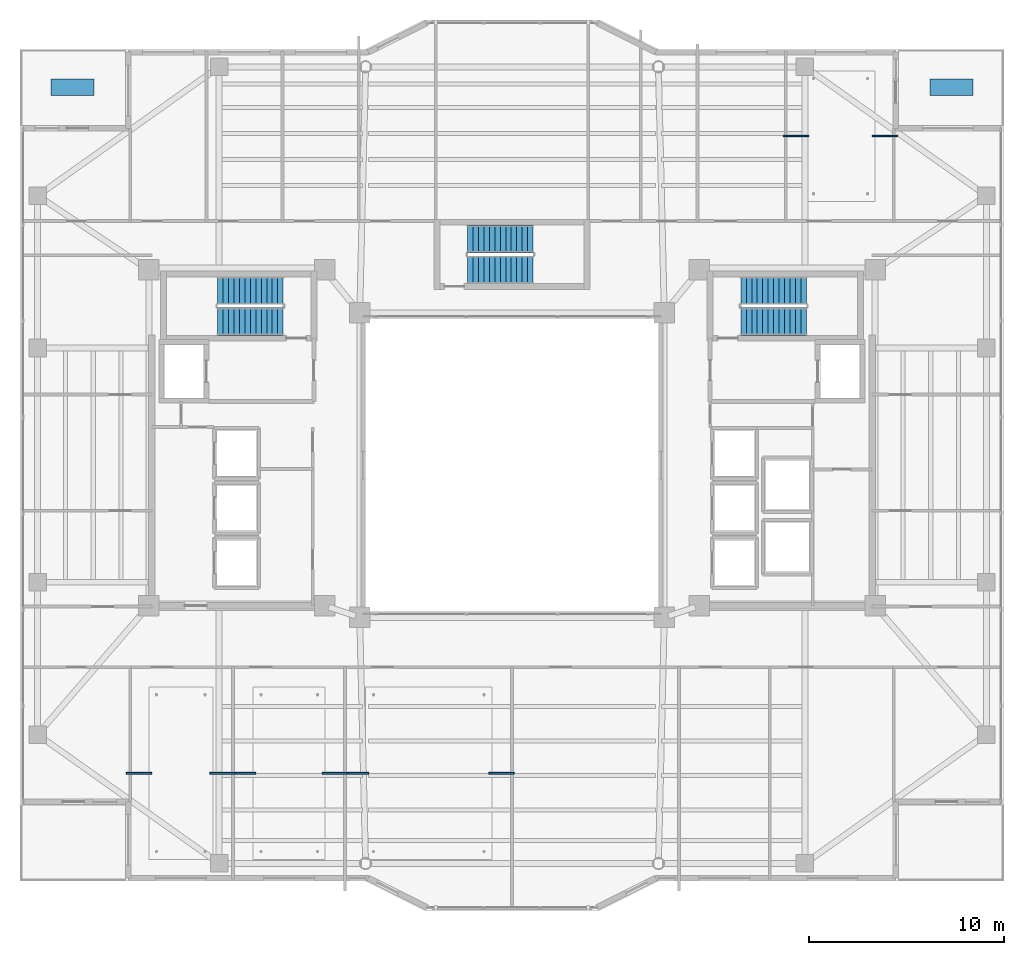
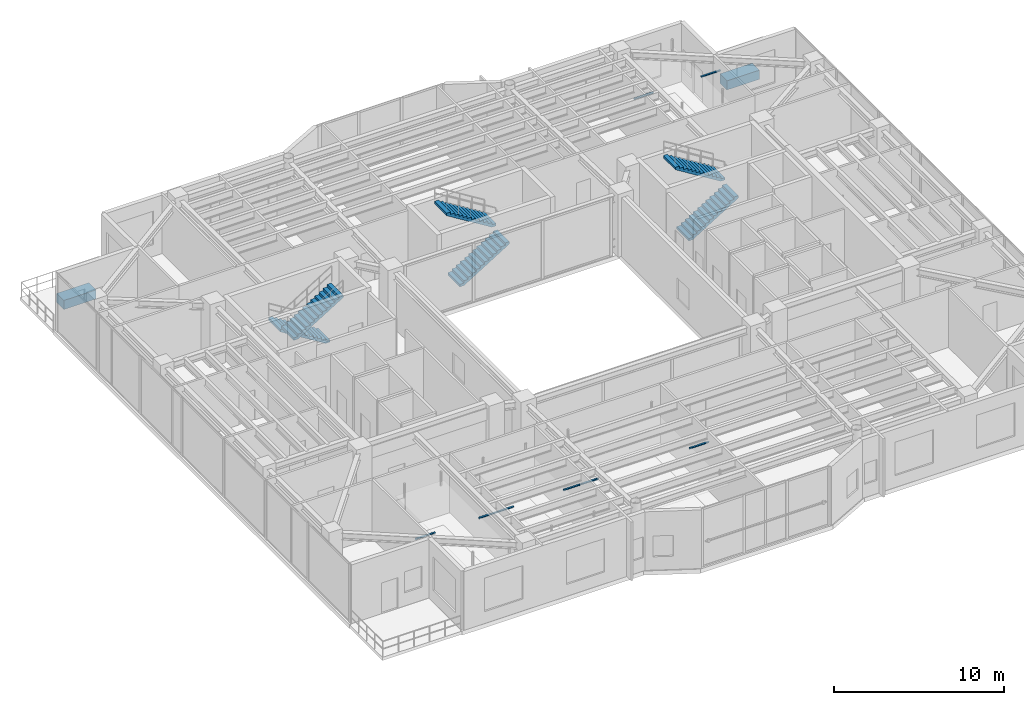
# One storey, part 27 of 33: 10 discrete accessories, 6 stair flights, 3 elements without a shape of their own.
"""IFC4 building model written with IfcOpenShell, lengths in metres."""

from ifc_helpers import new_model, si_unit, direction, frame, origin, origin_2d, place, context, subcontext, project, spatial, polyline, rectangle, outline, extrude, material, type_object, element, aggregate, save


model = new_model("IFC4")

# Units and contexts
model_context = context("Model", 3, precision=1e-05, world=origin(), true_north=direction((0.0, 1.0)))
body_context = subcontext(model_context, "Body", "Model", "MODEL_VIEW")
ifc_project = project(units=[si_unit("LENGTHUNIT", "METRE"), si_unit("AREAUNIT", "SQUARE_METRE"), si_unit("VOLUMEUNIT", "CUBIC_METRE"), si_unit("PLANEANGLEUNIT", "RADIAN"), si_unit("MASSUNIT", "GRAM", prefix="KILO")], contexts=[model_context])

# Site, building, storey
site_placement = place(None, origin())
site = spatial("IfcSite", under=ifc_project, at=site_placement, CompositionType="ELEMENT")
building_placement = place(site_placement, origin())
building = spatial("IfcBuilding", under=site, at=building_placement, Name="Tarnavaz Court Tower", CompositionType="ELEMENT")
storey_placement = place(building_placement, frame((0.0, 0.0, 177.300048828125)))
storey = spatial("IfcBuildingStorey", under=building, at=storey_placement, Name="L48", CompositionType="ELEMENT", Elevation=177.300048828125)

# Stair, stair flights
ifc_material_1 = material(Name="Concrete C40/50", Category="concrete")
stair_type = type_object("IfcStairType", Name="ST-TWR-26R", PredefinedType="HALF_TURN_STAIR", material=ifc_material_1)
stair_1_placement = place(storey_placement, origin())
stair_1 = element("IfcStair", 1, at=stair_1_placement, inside=storey, type_object=stair_type, Name="L48 West Core Pressurized Exit Stair ST-W1", PredefinedType="HALF_TURN_STAIR")
stair_flight_type = type_object("IfcStairFlightType", Name="SFL-RC-26R", PredefinedType="STRAIGHT", material=ifc_material_1)
stair_flight_1_placement = place(storey_placement, frame((-11.719970703125, 8.929931640625, 0.0), z_axis=(0.0, 0.0, 1.0), x_axis=(-1.0, 0.0, 0.0)))
stair_flight_1 = element("IfcStairFlight", 2, at=stair_flight_1_placement, type_object=stair_flight_type, Name="ST-W1 flight 1", NumberOfRisers=13, NumberOfTreads=12, PredefinedType="STRAIGHT", RiserHeight=0.173076923, TreadLength=0.28, context=body_context, shape_type="SweptSolid", body=[
    extrude(outline(polyline([(0.0, 0.0), (0.0, 0.173095703125), (0.280029296875, 0.173095703125), (0.280029296875, 0.34619140625), (0.56005859375, 0.34619140625), (0.56005859375, 0.519287109375), (0.840087890625, 0.519287109375), (0.840087890625, 0.6923828125), (1.1201171875, 0.6923828125), (1.1201171875, 0.865478515625), (1.39990234375, 0.865478515625), (1.39990234375, 1.03857421875), (1.679931640625, 1.03857421875), (1.679931640625, 1.21142578125), (1.9599609375, 1.21142578125), (1.9599609375, 1.384521484375), (2.239990234375, 1.384521484375), (2.239990234375, 1.5576171875), (2.52001953125, 1.5576171875), (2.52001953125, 1.730712890625), (2.800048828125, 1.730712890625), (2.800048828125, 1.90380859375), (3.080078125, 1.90380859375), (3.080078125, 2.076904296875), (3.360107421875, 2.076904296875), (3.360107421875, 2.25), (3.360107421875, 1.900634765625), (0.28515625, 0.0), (0.0, 0.0)])), frame((0.0, 0.7099609375, 0.0), z_axis=(0.0, -1.0, 0.0), x_axis=(1.0, 0.0, 0.0)), (0.0, 0.0, 1.0), 1.419921875),
])
stair_flight_2_placement = place(storey_placement, frame((-15.080078125, 7.360107421875, 2.25), z_axis=(0.0, 0.0, 1.0), x_axis=(1.0, 0.0, 0.0)))
stair_flight_2 = element("IfcStairFlight", 3, at=stair_flight_2_placement, type_object=stair_flight_type, Name="ST-W1 flight 2", NumberOfRisers=13, NumberOfTreads=12, PredefinedType="STRAIGHT", RiserHeight=0.173076923, TreadLength=0.28, context=body_context, shape_type="SweptSolid", body=[
    extrude(outline(polyline([(0.0, 0.0), (0.0, 0.173095703125), (0.280029296875, 0.173095703125), (0.280029296875, 0.34619140625), (0.56005859375, 0.34619140625), (0.56005859375, 0.519287109375), (0.840087890625, 0.519287109375), (0.840087890625, 0.6923828125), (1.1201171875, 0.6923828125), (1.1201171875, 0.865478515625), (1.39990234375, 0.865478515625), (1.39990234375, 1.03857421875), (1.679931640625, 1.03857421875), (1.679931640625, 1.21142578125), (1.9599609375, 1.21142578125), (1.9599609375, 1.384521484375), (2.239990234375, 1.384521484375), (2.239990234375, 1.5576171875), (2.52001953125, 1.5576171875), (2.52001953125, 1.730712890625), (2.800048828125, 1.730712890625), (2.800048828125, 1.90380859375), (3.080078125, 1.90380859375), (3.080078125, 2.076904296875), (3.360107421875, 2.076904296875), (3.360107421875, 2.25), (3.360107421875, 1.900634765625), (0.28515625, 0.0), (0.0, 0.0)])), frame((0.0, 0.7099609375, 0.0), z_axis=(0.0, -1.0, 0.0), x_axis=(1.0, 0.0, 0.0)), (0.0, 0.0, 1.0), 1.419921875),
])
aggregate(stair_1, [stair_flight_1, stair_flight_2])

stair_2_placement = place(storey_placement, origin())
stair_2 = element("IfcStair", 4, at=stair_2_placement, inside=storey, type_object=stair_type, Name="L48 East Core Pressurized Exit Stair ST-E1", PredefinedType="HALF_TURN_STAIR")
stair_flight_3_placement = place(storey_placement, frame((11.719970703125, 7.360107421875, 0.0), z_axis=(0.0, 0.0, 1.0), x_axis=(1.0, 0.0, 0.0)))
stair_flight_3 = element("IfcStairFlight", 5, at=stair_flight_3_placement, type_object=stair_flight_type, Name="ST-E1 flight 1", NumberOfRisers=13, NumberOfTreads=12, PredefinedType="STRAIGHT", RiserHeight=0.173076923, TreadLength=0.28, context=body_context, shape_type="SweptSolid", body=[
    extrude(outline(polyline([(0.0, 0.0), (0.0, 0.173095703125), (0.280029296875, 0.173095703125), (0.280029296875, 0.34619140625), (0.56005859375, 0.34619140625), (0.56005859375, 0.519287109375), (0.840087890625, 0.519287109375), (0.840087890625, 0.6923828125), (1.1201171875, 0.6923828125), (1.1201171875, 0.865478515625), (1.39990234375, 0.865478515625), (1.39990234375, 1.03857421875), (1.679931640625, 1.03857421875), (1.679931640625, 1.21142578125), (1.9599609375, 1.21142578125), (1.9599609375, 1.384521484375), (2.239990234375, 1.384521484375), (2.239990234375, 1.5576171875), (2.52001953125, 1.5576171875), (2.52001953125, 1.730712890625), (2.800048828125, 1.730712890625), (2.800048828125, 1.90380859375), (3.080078125, 1.90380859375), (3.080078125, 2.076904296875), (3.360107421875, 2.076904296875), (3.360107421875, 2.25), (3.360107421875, 1.900634765625), (0.28515625, 0.0), (0.0, 0.0)])), frame((0.0, 0.7099609375, 0.0), z_axis=(0.0, -1.0, 0.0), x_axis=(1.0, 0.0, 0.0)), (0.0, 0.0, 1.0), 1.419921875),
])
stair_flight_4_placement = place(storey_placement, frame((15.080078125, 8.929931640625, 2.25), z_axis=(0.0, 0.0, 1.0), x_axis=(-1.0, 0.0, 0.0)))
stair_flight_4 = element("IfcStairFlight", 6, at=stair_flight_4_placement, type_object=stair_flight_type, Name="ST-E1 flight 2", NumberOfRisers=13, NumberOfTreads=12, PredefinedType="STRAIGHT", RiserHeight=0.173076923, TreadLength=0.28, context=body_context, shape_type="SweptSolid", body=[
    extrude(outline(polyline([(0.0, 0.0), (0.0, 0.173095703125), (0.280029296875, 0.173095703125), (0.280029296875, 0.34619140625), (0.56005859375, 0.34619140625), (0.56005859375, 0.519287109375), (0.840087890625, 0.519287109375), (0.840087890625, 0.6923828125), (1.1201171875, 0.6923828125), (1.1201171875, 0.865478515625), (1.39990234375, 0.865478515625), (1.39990234375, 1.03857421875), (1.679931640625, 1.03857421875), (1.679931640625, 1.21142578125), (1.9599609375, 1.21142578125), (1.9599609375, 1.384521484375), (2.239990234375, 1.384521484375), (2.239990234375, 1.5576171875), (2.52001953125, 1.5576171875), (2.52001953125, 1.730712890625), (2.800048828125, 1.730712890625), (2.800048828125, 1.90380859375), (3.080078125, 1.90380859375), (3.080078125, 2.076904296875), (3.360107421875, 2.076904296875), (3.360107421875, 2.25), (3.360107421875, 1.900634765625), (0.28515625, 0.0), (0.0, 0.0)])), frame((0.0, 0.7099609375, 0.0), z_axis=(0.0, -1.0, 0.0), x_axis=(1.0, 0.0, 0.0)), (0.0, 0.0, 1.0), 1.419921875),
])
aggregate(stair_2, [stair_flight_3, stair_flight_4])

stair_3_placement = place(storey_placement, origin())
stair_3 = element("IfcStair", 7, at=stair_3_placement, inside=storey, type_object=stair_type, Name="L48 North Ring Pressurized Exit Stair ST-N1", PredefinedType="HALF_TURN_STAIR")
stair_flight_5_placement = place(storey_placement, frame((-2.280029296875, 10.010009765625, 0.0), z_axis=(0.0, 0.0, 1.0), x_axis=(1.0, 0.0, 0.0)))
stair_flight_5 = element("IfcStairFlight", 8, at=stair_flight_5_placement, type_object=stair_flight_type, Name="ST-N1 flight 1", NumberOfRisers=13, NumberOfTreads=12, PredefinedType="STRAIGHT", RiserHeight=0.173076923, TreadLength=0.28, context=body_context, shape_type="SweptSolid", body=[
    extrude(outline(polyline([(0.0, 0.0), (0.0, 0.173095703125), (0.280029296875, 0.173095703125), (0.280029296875, 0.34619140625), (0.56005859375, 0.34619140625), (0.56005859375, 0.519287109375), (0.840087890625, 0.519287109375), (0.840087890625, 0.6923828125), (1.1201171875, 0.6923828125), (1.1201171875, 0.865478515625), (1.39990234375, 0.865478515625), (1.39990234375, 1.03857421875), (1.679931640625, 1.03857421875), (1.679931640625, 1.21142578125), (1.9599609375, 1.21142578125), (1.9599609375, 1.384521484375), (2.239990234375, 1.384521484375), (2.239990234375, 1.5576171875), (2.52001953125, 1.5576171875), (2.52001953125, 1.730712890625), (2.800048828125, 1.730712890625), (2.800048828125, 1.90380859375), (3.080078125, 1.90380859375), (3.080078125, 2.076904296875), (3.360107421875, 2.076904296875), (3.360107421875, 2.25), (3.360107421875, 1.900634765625), (0.28515625, 0.0), (0.0, 0.0)])), frame((0.0, 0.7099609375, 0.0), z_axis=(0.0, -1.0, 0.0), x_axis=(1.0, 0.0, 0.0)), (0.0, 0.0, 1.0), 1.419921875),
])
stair_flight_6_placement = place(storey_placement, frame((1.080078125, 11.580078125, 2.25), z_axis=(0.0, 0.0, 1.0), x_axis=(-1.0, 0.0, 0.0)))
stair_flight_6 = element("IfcStairFlight", 9, at=stair_flight_6_placement, type_object=stair_flight_type, Name="ST-N1 flight 2", NumberOfRisers=13, NumberOfTreads=12, PredefinedType="STRAIGHT", RiserHeight=0.173076923, TreadLength=0.28, context=body_context, shape_type="SweptSolid", body=[
    extrude(outline(polyline([(0.0, 0.0), (0.0, 0.173095703125), (0.280029296875, 0.173095703125), (0.280029296875, 0.34619140625), (0.56005859375, 0.34619140625), (0.56005859375, 0.519287109375), (0.840087890625, 0.519287109375), (0.840087890625, 0.6923828125), (1.1201171875, 0.6923828125), (1.1201171875, 0.865478515625), (1.39990234375, 0.865478515625), (1.39990234375, 1.03857421875), (1.679931640625, 1.03857421875), (1.679931640625, 1.21142578125), (1.9599609375, 1.21142578125), (1.9599609375, 1.384521484375), (2.239990234375, 1.384521484375), (2.239990234375, 1.5576171875), (2.52001953125, 1.5576171875), (2.52001953125, 1.730712890625), (2.800048828125, 1.730712890625), (2.800048828125, 1.90380859375), (3.080078125, 1.90380859375), (3.080078125, 2.076904296875), (3.360107421875, 2.076904296875), (3.360107421875, 2.25), (3.360107421875, 1.900634765625), (0.28515625, 0.0), (0.0, 0.0)])), frame((0.0, 0.7099609375, 0.0), z_axis=(0.0, -1.0, 0.0), x_axis=(1.0, 0.0, 0.0)), (0.0, 0.0, 1.0), 1.419921875),
])
aggregate(stair_3, [stair_flight_5, stair_flight_6])

# Discrete accessories
ifc_material_2 = material(Name="Anodised Aluminium 6063-T6", Category="aluminium")
discrete_accessory_type_1 = type_object("IfcDiscreteAccessoryType", Name="DA-BRKT-ALU", PredefinedType="BRACKET", material=ifc_material_2)
for number, where, z_axis, x_axis, name in (
    (10, (14.552978515625, 16.85009765625, 3.202392578125), (0.0, 0.0, 1.0), (1.0, 0.0, 0.0), "L48 Ceiling Perimeter Wall-Tie Bracket 01-1"),
    (11, (19.10009765625, 16.85009765625, 3.202392578125), (0.0, 0.0, 1.0), (1.0, 0.0, 0.0), "L48 Ceiling Perimeter Wall-Tie Bracket 01-2"),
    (12, (-19.10009765625, -15.780029296875, 3.202392578125), (0.0, 0.0, 1.0), (1.0, 0.0, 0.0), "L48 Ceiling Perimeter Wall-Tie Bracket 02-1"),
    (13, (-14.823974609375, -15.780029296875, 3.202392578125), (0.0, 0.0, 1.0), (1.0, 0.0, 0.0), "L48 Ceiling Perimeter Wall-Tie Bracket 02-2"),
    (14, (-13.763916015625, -15.780029296875, 3.202392578125), (0.0, 0.0, 1.0), (1.0, 0.0, 0.0), "L48 Ceiling Perimeter Wall-Tie Bracket 03-1"),
    (15, (-9.070068359375, -15.780029296875, 3.202392578125), (0.0, 0.0, 1.0), (1.0, 0.0, 0.0), "L48 Ceiling Perimeter Wall-Tie Bracket 03-2"),
    (16, (-8.0, -15.780029296875, 3.202392578125), (0.0, 0.0, 1.0), (1.0, 0.0, 0.0), "L48 Ceiling Perimeter Wall-Tie Bracket 04-1"),
    (17, (-0.530029296875, -15.780029296875, 3.202392578125), (0.0, 0.0, 1.0), (1.0, 0.0, 0.0), "L48 Ceiling Perimeter Wall-Tie Bracket 04-2"),
):
    element("IfcDiscreteAccessory", number, at=place(storey_placement, frame(where, z_axis=z_axis, x_axis=x_axis)), inside=storey, type_object=discrete_accessory_type_1, Name=name, PredefinedType="BRACKET", context=body_context, shape_type="SweptSolid", body=[
        extrude(rectangle(XDim=1.300048828125, YDim=0.080078125, at=origin_2d()), origin(), (0.0, 0.0, 1.0), 0.080078125),
    ])
ifc_material_3 = material(Name="Terracotta Architectural Planter Trough", Category="masonry")
discrete_accessory_type_2 = type_object("IfcDiscreteAccessoryType", Name="DA-PLANTER-TC", PredefinedType="USERDEFINED", material=ifc_material_3)
for number, where, z_axis, x_axis, name in (
    (18, (22.5, 19.35009765625, 0.0), (0.0, 0.0, 1.0), (1.0, 0.0, 0.0), "L48 Chahar-Bagh Terracotta Landscape Planter 1"),
    (19, (-22.5, 19.35009765625, 0.0), (0.0, 0.0, 1.0), (1.0, 0.0, 0.0), "L48 Chahar-Bagh Terracotta Landscape Planter 2"),
):
    element("IfcDiscreteAccessory", number, at=place(storey_placement, frame(where, z_axis=z_axis, x_axis=x_axis)), inside=storey, type_object=discrete_accessory_type_2, Name=name, ObjectType="PLANTER", PredefinedType="USERDEFINED", context=body_context, shape_type="SweptSolid", body=[
        extrude(rectangle(XDim=2.199951171875, YDim=0.85009765625, at=origin_2d()), origin(), (0.0, 0.0, 1.0), 0.64990234375),
    ])

save(model, "model.ifc")
